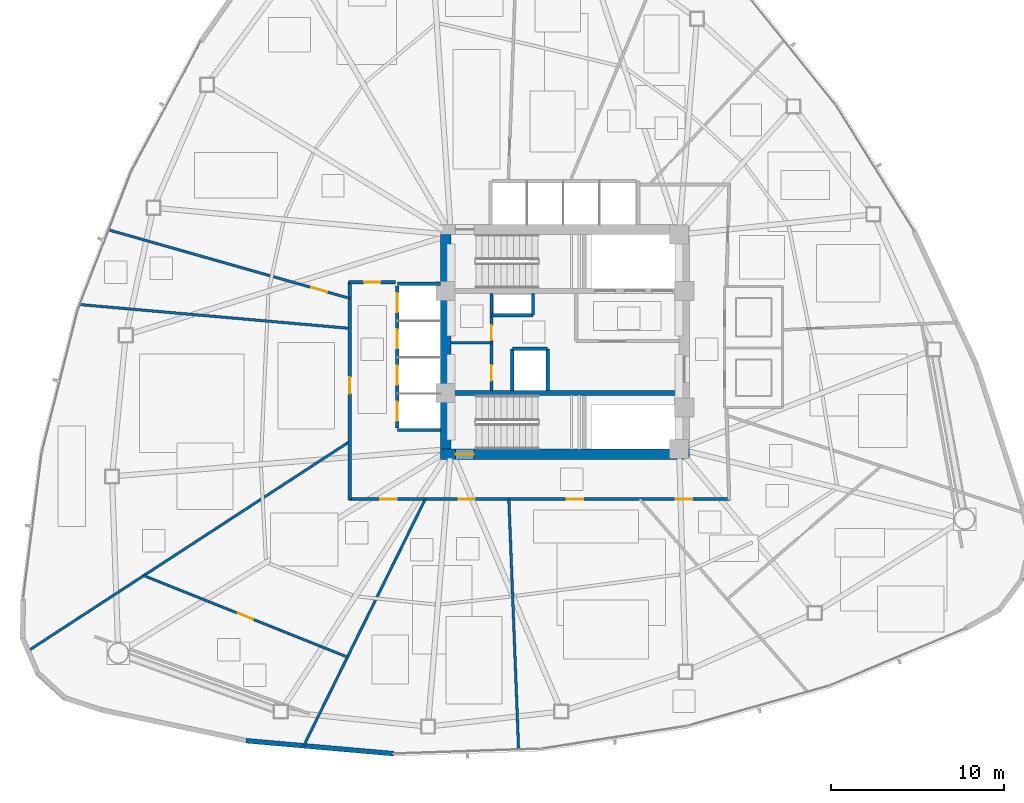
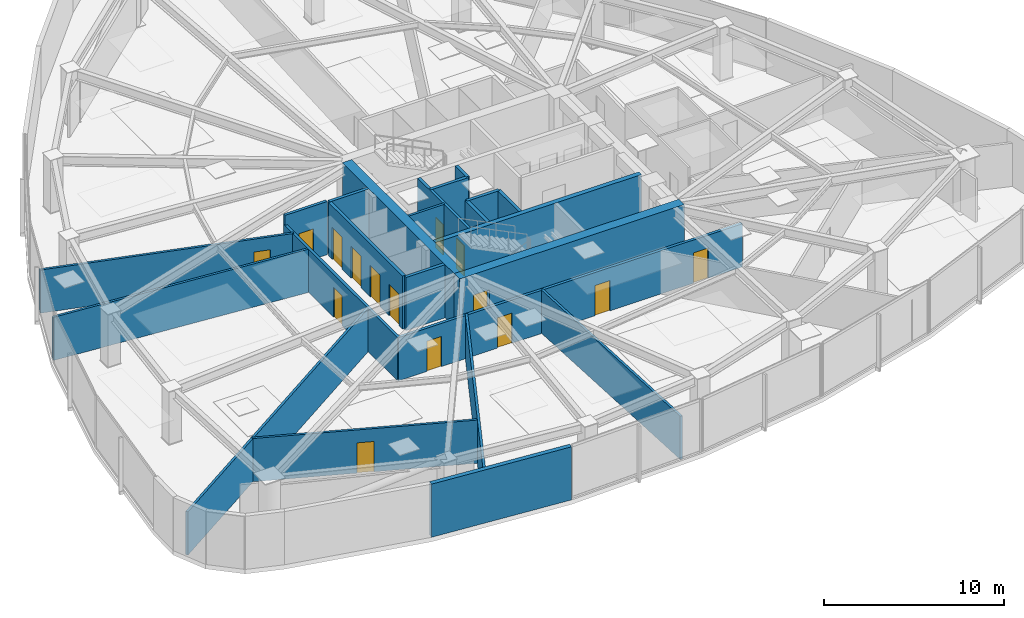
# One storey, part 12 of 18: 23 walls, 15 doors, 15 openings.
"""IFC4 building model written with IfcOpenShell, lengths in metres."""

from ifc_helpers import new_model, si_unit, direction, frame, frame_2d, origin, place, context, subcontext, project, spatial, rectangle, extrude, material, layer, layer_set, type_object, element, fill, save


model = new_model("IFC4")

# Units and contexts
model_context = context("Model", 3, precision=1e-05, world=origin(), true_north=direction((0.0, 1.0)))
body_context = subcontext(model_context, "Body", "Model", "MODEL_VIEW")
ifc_project = project(units=[si_unit("LENGTHUNIT", "METRE"), si_unit("AREAUNIT", "SQUARE_METRE"), si_unit("VOLUMEUNIT", "CUBIC_METRE"), si_unit("PLANEANGLEUNIT", "RADIAN"), si_unit("MASSUNIT", "GRAM", prefix="KILO")], contexts=[model_context])

# Site, building, storey
site_placement = place(None, origin())
site = spatial("IfcSite", under=ifc_project, at=site_placement, CompositionType="ELEMENT")
building_placement = place(site_placement, origin())
building = spatial("IfcBuilding", under=site, at=building_placement, Name="Tavelor Broadcast Tower", CompositionType="ELEMENT")
storey_placement = place(building_placement, frame((0.0, 0.0, 47.10009765625)))
storey = spatial("IfcBuildingStorey", under=building, at=storey_placement, Name="L10", CompositionType="ELEMENT", Elevation=47.10009765625)

# Wall, opening, door
ifc_material_1 = material(Name="Concrete C60/75", Category="concrete")
ifc_layer_1 = layer(ifc_material_1, 0.60009765625)
ifc_layer_set_1 = layer_set([ifc_layer_1], Name="Concrete C60/75")
wall_type_1 = type_object("IfcWallType", Name="Core Shear Wall 600 mm", PredefinedType="SHEAR", material=ifc_layer_set_1)
wall_1_placement = place(storey_placement, frame((42.800048828125, 38.5, 0.0), z_axis=(0.0, 0.0, 1.0), x_axis=(1.0, 0.0, 0.0)))
wall_1 = element("IfcWall", 1, at=wall_1_placement, inside=storey, type_object=wall_type_1, Name="L10 Central Core Shear Wall S", PredefinedType="SHEAR", context=body_context, shape_type="SweptSolid", body=[
    extrude(rectangle(XDim=14.39990234375, YDim=0.60009765625, at=frame_2d((7.199951171875, 0.0))), origin(), (0.0, 0.0, 1.0), 3.599853515625),
])
opening_1_placement = place(wall_1_placement, frame((0.8798828125, 0.0, 0.0)))
opening_1 = element("IfcOpeningElement", 2, at=opening_1_placement, cuts=wall_1, Name="Opening DR11", PredefinedType="OPENING", context=body_context, shape_type="SweptSolid", body=[
    extrude(rectangle(XDim=1.050048828125, YDim=2.199951171875, at=frame_2d((0.52490234375, 1.10009765625))), frame((0.0, 0.31005859375, 0.0), z_axis=(0.0, -1.0, 0.0), x_axis=(1.0, 0.0, 0.0)), (0.0, 0.0, 1.0), 0.6201171875),
])
ifc_material_2 = material(Name="Steel S355", Category="steel")
door_type_1 = type_object("IfcDoorType", Name="Stair Core Fire Escape Door 1050x2200", OperationType="NOTDEFINED", PredefinedType="DOOR", material=ifc_material_2)
door_1_placement = place(opening_1_placement, origin())
door_1 = element("IfcDoor", 3, at=door_1_placement, inside=storey, type_object=door_type_1, Name="L10 Stair ST2 Protected Exit Door", OperationType="SINGLE_SWING_RIGHT", OverallHeight=2.199951171875, OverallWidth=1.050048828125, PredefinedType="DOOR", context=body_context, shape_type="SweptSolid", body=[
    extrude(rectangle(XDim=1.050048828125, YDim=2.199951171875, at=frame_2d((0.52490234375, 1.10009765625))), frame((0.0, 0.02490234375, 0.0), z_axis=(0.0, -1.0, 0.0), x_axis=(1.0, 0.0, 0.0)), (0.0, 0.0, 1.0), 0.050048828125),
])
fill(opening_1, door_1)

# Walls
wall_2_placement = place(storey_placement, frame((43.10009765625, 38.800048828125, 0.0), z_axis=(0.0, 0.0, 1.0), x_axis=(0.0, 1.0, 0.0)))
element("IfcWall", 4, at=wall_2_placement, inside=storey, type_object=wall_type_1, Name="L10 Central Core Shear Wall W", PredefinedType="SHEAR", context=body_context, shape_type="SweptSolid", body=[
    extrude(rectangle(XDim=12.39990234375, YDim=0.60009765625, at=frame_2d((6.199951171875, 0.0))), origin(), (0.0, 0.0, 1.0), 3.599853515625),
])
ifc_layer_2 = layer(ifc_material_1, 0.300048828125)
ifc_layer_set_2 = layer_set([ifc_layer_2], Name="Concrete C60/75")
wall_type_2 = type_object("IfcWallType", Name="Core Spine Shear Wall 300 mm C60", PredefinedType="SHEAR", material=ifc_layer_set_2)
wall_3_placement = place(storey_placement, frame((43.39990234375, 42.050048828125, 0.0), z_axis=(0.0, 0.0, 1.0), x_axis=(1.0, 0.0, 0.0)))
element("IfcWall", 5, at=wall_3_placement, inside=storey, type_object=wall_type_2, Name="L10 Central Core Shear Wall SP2", PredefinedType="SHEAR", context=body_context, shape_type="SweptSolid", body=[
    extrude(rectangle(XDim=13.2001953125, YDim=0.300048828125, at=frame_2d((6.60009765625, 0.0))), origin(), (0.0, 0.0, 1.0), 3.599853515625),
])

# Wall, openings, doors
ifc_material_3 = material(Name="Calcium Silicate Fire Board 180 mm", Category="gypsum")
ifc_layer_3 = layer(ifc_material_3, 0.179931640625)
ifc_layer_set_3 = layer_set([ifc_layer_3], Name="Calcium Silicate Fire Board 180 mm")
wall_type_3 = type_object("IfcWallType", Name="Fire-Rated Corridor Partition Wall 180 mm", PredefinedType="PARTITIONING", material=ifc_layer_set_3)
wall_4_placement = place(storey_placement, frame((45.75, 42.199951171875, 0.0), z_axis=(0.0, 0.0, 1.0), x_axis=(0.0, 1.0, 0.0)))
wall_4 = element("IfcWall", 6, at=wall_4_placement, inside=storey, type_object=wall_type_3, Name="L10 Core West Service East Wall", PredefinedType="PARTITIONING", context=body_context, shape_type="SweptSolid", body=[
    extrude(rectangle(XDim=5.60009765625, YDim=0.179931640625, at=frame_2d((2.800048828125, 0.0))), origin(), (0.0, 0.0, 1.0), 3.599853515625),
])
opening_2_placement = place(wall_4_placement, frame((0.550048828125, 0.0, 0.0)))
opening_2 = element("IfcOpeningElement", 7, at=opening_2_placement, cuts=wall_4, Name="Opening DR32", PredefinedType="OPENING", context=body_context, shape_type="SweptSolid", body=[
    extrude(rectangle(XDim=0.89990234375, YDim=2.050048828125, at=frame_2d((0.449951171875, 1.02490234375))), frame((0.0, 0.10009765625, 0.0), z_axis=(0.0, -1.0, 0.0), x_axis=(1.0, 0.0, 0.0)), (0.0, 0.0, 1.0), 0.199951171875),
])
opening_3_placement = place(wall_4_placement, frame((2.89990234375, 0.0, 0.0)))
opening_3 = element("IfcOpeningElement", 8, at=opening_3_placement, cuts=wall_4, Name="Opening DR36", PredefinedType="OPENING", context=body_context, shape_type="SweptSolid", body=[
    extrude(rectangle(XDim=0.85009765625, YDim=2.050048828125, at=frame_2d((0.425048828125, 1.02490234375))), frame((0.0, 0.10009765625, 0.0), z_axis=(0.0, -1.0, 0.0), x_axis=(1.0, 0.0, 0.0)), (0.0, 0.0, 1.0), 0.199951171875),
])
ifc_material_4 = material(Name="Timber Solid Core Hardwood", Category="wood")
door_type_2 = type_object("IfcDoorType", Name="Accessible Washroom Door 900x2050", OperationType="NOTDEFINED", PredefinedType="DOOR", material=ifc_material_4)
door_2_placement = place(opening_2_placement, origin())
door_2 = element("IfcDoor", 9, at=door_2_placement, inside=storey, type_object=door_type_2, Name="L10 Core Accessible WC Door", OperationType="SINGLE_SWING_LEFT", OverallHeight=2.050048828125, OverallWidth=0.89990234375, PredefinedType="DOOR", context=body_context, shape_type="SweptSolid", body=[
    extrude(rectangle(XDim=0.89990234375, YDim=2.050048828125, at=frame_2d((0.449951171875, 1.02490234375))), frame((0.0, 0.02490234375, 0.0), z_axis=(0.0, -1.0, 0.0), x_axis=(1.0, 0.0, 0.0)), (0.0, 0.0, 1.0), 0.050048828125),
])
fill(opening_2, door_2)
door_type_3 = type_object("IfcDoorType", Name="Service Room Fire Door 850x2050", OperationType="NOTDEFINED", PredefinedType="DOOR", material=ifc_material_2)
door_3_placement = place(opening_3_placement, origin())
door_3 = element("IfcDoor", 10, at=door_3_placement, inside=storey, type_object=door_type_3, Name="L10 Core Cleaner Store Door", OperationType="SINGLE_SWING_RIGHT", OverallHeight=2.050048828125, OverallWidth=0.85009765625, PredefinedType="DOOR", context=body_context, shape_type="SweptSolid", body=[
    extrude(rectangle(XDim=0.85009765625, YDim=2.050048828125, at=frame_2d((0.425048828125, 1.02490234375))), frame((0.0, 0.02490234375, 0.0), z_axis=(0.0, -1.0, 0.0), x_axis=(1.0, 0.0, 0.0)), (0.0, 0.0, 1.0), 0.050048828125),
])
fill(opening_3, door_3)

wall_5_placement = place(storey_placement, frame((59.550048828125, 35.89990234375, 0.0), z_axis=(0.0, 0.0, 1.0), x_axis=(-1.0, 0.0, 0.0)))
wall_5 = element("IfcWall", 11, at=wall_5_placement, inside=storey, type_object=wall_type_3, Name="L10 Corridor Compartment Wall 04", PredefinedType="PARTITIONING", context=body_context, shape_type="SweptSolid", body=[
    extrude(rectangle(XDim=22.050048828125, YDim=0.179931640625, at=frame_2d((11.02490234375, 0.0))), origin(), (0.0, 0.0, 1.0), 2.9248046875),
])
opening_4_placement = place(wall_5_placement, frame((2.193115234375, 0.0, 0.0)))
opening_4 = element("IfcOpeningElement", 12, at=opening_4_placement, cuts=wall_5, Name="Opening DR18", PredefinedType="OPENING", context=body_context, shape_type="SweptSolid", body=[
    extrude(rectangle(XDim=0.949951171875, YDim=2.050048828125, at=frame_2d((0.47509765625, 1.02490234375))), frame((0.0, 0.10009765625, 0.0), z_axis=(0.0, -1.0, 0.0), x_axis=(1.0, 0.0, 0.0)), (0.0, 0.0, 1.0), 0.199951171875),
])
opening_5_placement = place(wall_5_placement, frame((8.489501953125, 0.0, 0.0)))
opening_5 = element("IfcOpeningElement", 13, at=opening_5_placement, cuts=wall_5, Name="Opening DR18", PredefinedType="OPENING", context=body_context, shape_type="SweptSolid", body=[
    extrude(rectangle(XDim=0.949951171875, YDim=2.050048828125, at=frame_2d((0.47509765625, 1.02490234375))), frame((0.0, 0.10009765625, 0.0), z_axis=(0.0, -1.0, 0.0), x_axis=(1.0, 0.0, 0.0)), (0.0, 0.0, 1.0), 0.199951171875),
])
opening_6_placement = place(wall_5_placement, frame((14.759765625, 0.0, 0.0)))
opening_6 = element("IfcOpeningElement", 14, at=opening_6_placement, cuts=wall_5, Name="Opening DR18", PredefinedType="OPENING", context=body_context, shape_type="SweptSolid", body=[
    extrude(rectangle(XDim=0.949951171875, YDim=2.050048828125, at=frame_2d((0.47509765625, 1.02490234375))), frame((0.0, 0.10009765625, 0.0), z_axis=(0.0, -1.0, 0.0), x_axis=(1.0, 0.0, 0.0)), (0.0, 0.0, 1.0), 0.199951171875),
])
opening_7_placement = place(wall_5_placement, frame((19.280517578125, 0.0, 0.0)))
opening_7 = element("IfcOpeningElement", 15, at=opening_7_placement, cuts=wall_5, Name="Opening DR18", PredefinedType="OPENING", context=body_context, shape_type="SweptSolid", body=[
    extrude(rectangle(XDim=0.949951171875, YDim=2.050048828125, at=frame_2d((0.47509765625, 1.02490234375))), frame((0.0, 0.10009765625, 0.0), z_axis=(0.0, -1.0, 0.0), x_axis=(1.0, 0.0, 0.0)), (0.0, 0.0, 1.0), 0.199951171875),
])
door_type_4 = type_object("IfcDoorType", Name="Corridor Rated Compartment Door 950x2050", OperationType="NOTDEFINED", PredefinedType="DOOR", material=ifc_material_4)
door_4_placement = place(opening_4_placement, origin())
door_4 = element("IfcDoor", 16, at=door_4_placement, inside=storey, type_object=door_type_4, Name="L10 Press Concierge Desk Door R11", OperationType="SINGLE_SWING_RIGHT", OverallHeight=2.050048828125, OverallWidth=0.949951171875, PredefinedType="DOOR", context=body_context, shape_type="SweptSolid", body=[
    extrude(rectangle(XDim=0.949951171875, YDim=2.050048828125, at=frame_2d((0.47509765625, 1.02490234375))), frame((0.0, 0.02490234375, 0.0), z_axis=(0.0, -1.0, 0.0), x_axis=(1.0, 0.0, 0.0)), (0.0, 0.0, 1.0), 0.050048828125),
])
fill(opening_4, door_4)
door_5_placement = place(opening_5_placement, origin())
door_5 = element("IfcDoor", 17, at=door_5_placement, inside=storey, type_object=door_type_4, Name="L10 Press Interview Room Door R0", OperationType="SINGLE_SWING_LEFT", OverallHeight=2.050048828125, OverallWidth=0.949951171875, PredefinedType="DOOR", context=body_context, shape_type="SweptSolid", body=[
    extrude(rectangle(XDim=0.949951171875, YDim=2.050048828125, at=frame_2d((0.47509765625, 1.02490234375))), frame((0.0, 0.02490234375, 0.0), z_axis=(0.0, -1.0, 0.0), x_axis=(1.0, 0.0, 0.0)), (0.0, 0.0, 1.0), 0.050048828125),
])
fill(opening_5, door_5)
door_6_placement = place(opening_6_placement, origin())
door_6 = element("IfcDoor", 18, at=door_6_placement, inside=storey, type_object=door_type_4, Name="L10 Standards Huddle Room Door R1", OperationType="SINGLE_SWING_RIGHT", OverallHeight=2.050048828125, OverallWidth=0.949951171875, PredefinedType="DOOR", context=body_context, shape_type="SweptSolid", body=[
    extrude(rectangle(XDim=0.949951171875, YDim=2.050048828125, at=frame_2d((0.47509765625, 1.02490234375))), frame((0.0, 0.02490234375, 0.0), z_axis=(0.0, -1.0, 0.0), x_axis=(1.0, 0.0, 0.0)), (0.0, 0.0, 1.0), 0.050048828125),
])
fill(opening_6, door_6)
door_7_placement = place(opening_7_placement, origin())
door_7 = element("IfcDoor", 19, at=door_7_placement, inside=storey, type_object=door_type_4, Name="L10 Quiet Listening Room Door R12", OperationType="SINGLE_SWING_LEFT", OverallHeight=2.050048828125, OverallWidth=0.949951171875, PredefinedType="DOOR", context=body_context, shape_type="SweptSolid", body=[
    extrude(rectangle(XDim=0.949951171875, YDim=2.050048828125, at=frame_2d((0.47509765625, 1.02490234375))), frame((0.0, 0.02490234375, 0.0), z_axis=(0.0, -1.0, 0.0), x_axis=(1.0, 0.0, 0.0)), (0.0, 0.0, 1.0), 0.050048828125),
])
fill(opening_7, door_7)

# Wall, opening, door
wall_6_placement = place(storey_placement, frame((37.550048828125, 35.85009765625, 0.0), z_axis=(0.0, 0.0, 1.0), x_axis=(0.0, 1.0, 0.0)))
wall_6 = element("IfcWall", 20, at=wall_6_placement, inside=storey, type_object=wall_type_3, Name="L10 Corridor Compartment Wall 05", PredefinedType="PARTITIONING", context=body_context, shape_type="SweptSolid", body=[
    extrude(rectangle(XDim=12.64990234375, YDim=0.179931640625, at=frame_2d((6.324951171875, 0.0))), origin(), (0.0, 0.0, 1.0), 2.9248046875),
])
opening_8_placement = place(wall_6_placement, frame((6.1591796875, 0.0, 0.0)))
opening_8 = element("IfcOpeningElement", 21, at=opening_8_placement, cuts=wall_6, Name="Opening DR18", PredefinedType="OPENING", context=body_context, shape_type="SweptSolid", body=[
    extrude(rectangle(XDim=0.949951171875, YDim=2.050048828125, at=frame_2d((0.47509765625, 1.02490234375))), frame((0.0, 0.10009765625, 0.0), z_axis=(0.0, -1.0, 0.0), x_axis=(1.0, 0.0, 0.0)), (0.0, 0.0, 1.0), 0.199951171875),
])
door_8_placement = place(opening_8_placement, origin())
door_8 = element("IfcDoor", 22, at=door_8_placement, inside=storey, type_object=door_type_4, Name="L10 Newsroom Huddle Room Door R3", OperationType="SINGLE_SWING_RIGHT", OverallHeight=2.050048828125, OverallWidth=0.949951171875, PredefinedType="DOOR", context=body_context, shape_type="SweptSolid", body=[
    extrude(rectangle(XDim=0.949951171875, YDim=2.050048828125, at=frame_2d((0.47509765625, 1.02490234375))), frame((0.0, 0.02490234375, 0.0), z_axis=(0.0, -1.0, 0.0), x_axis=(1.0, 0.0, 0.0)), (0.0, 0.0, 1.0), 0.050048828125),
])
fill(opening_8, door_8)

wall_7_placement = place(storey_placement, frame((37.5, 48.449951171875, 0.0), z_axis=(0.0, 0.0, 1.0), x_axis=(1.0, 0.0, 0.0)))
wall_7 = element("IfcWall", 23, at=wall_7_placement, inside=storey, type_object=wall_type_3, Name="L10 Corridor Compartment Wall 06", PredefinedType="PARTITIONING", context=body_context, shape_type="SweptSolid", body=[
    extrude(rectangle(XDim=2.699951171875, YDim=0.179931640625, at=frame_2d((1.35009765625, 0.0))), origin(), (0.0, 0.0, 1.0), 3.599853515625),
])
opening_9_placement = place(wall_7_placement, frame((0.875, 0.0, 0.0)))
opening_9 = element("IfcOpeningElement", 24, at=opening_9_placement, cuts=wall_7, Name="Opening DR18", PredefinedType="OPENING", context=body_context, shape_type="SweptSolid", body=[
    extrude(rectangle(XDim=0.949951171875, YDim=2.050048828125, at=frame_2d((0.47509765625, 1.02490234375))), frame((0.0, 0.10009765625, 0.0), z_axis=(0.0, -1.0, 0.0), x_axis=(1.0, 0.0, 0.0)), (0.0, 0.0, 1.0), 0.199951171875),
])
door_9_placement = place(opening_9_placement, origin())
door_9 = element("IfcDoor", 25, at=door_9_placement, inside=storey, type_object=door_type_4, Name="L10 Editorial Huddle Room Door R5", OperationType="SINGLE_SWING_LEFT", OverallHeight=2.050048828125, OverallWidth=0.949951171875, PredefinedType="DOOR", context=body_context, shape_type="SweptSolid", body=[
    extrude(rectangle(XDim=0.949951171875, YDim=2.050048828125, at=frame_2d((0.47509765625, 1.02490234375))), frame((0.0, 0.02490234375, 0.0), z_axis=(0.0, -1.0, 0.0), x_axis=(1.0, 0.0, 0.0)), (0.0, 0.0, 1.0), 0.050048828125),
])
fill(opening_9, door_9)

# Walls
ifc_material_5 = material(Name="Precast Concrete C40/50", Category="concrete")
ifc_layer_4 = layer(ifc_material_5, 0.280029296875)
ifc_layer_set_4 = layer_set([ifc_layer_4], Name="Precast Concrete C40/50")
wall_type_4 = type_object("IfcWallType", Name="Insulated Precast Terracotta Facade Wall 280 mm", PredefinedType="STANDARD", material=ifc_layer_set_4)
wall_8_placement = place(storey_placement, frame((31.547119140625, 21.926025390625, 0.0), z_axis=(0.0, 0.0, 1.0), x_axis=(0.996155119638, -0.087606949604, 0.0)))
element("IfcWall", 26, at=wall_8_placement, inside=storey, type_object=wall_type_4, Name="L10 Rounded Corner Structural Cladding Pier 16", PredefinedType="STANDARD", context=body_context, shape_type="SweptSolid", body=[
    extrude(rectangle(XDim=8.5693359375, YDim=0.280029296875, at=frame_2d((4.28466796875, 0.0))), origin(), (0.0, 0.0, 1.0), 3.599853515625),
])
ifc_material_6 = material(Name="Gypsum Acoustic Plasterboard 150 mm", Category="gypsum")
ifc_layer_5 = layer(ifc_material_6, 0.14990234375)
ifc_layer_set_5 = layer_set([ifc_layer_5], Name="Gypsum Acoustic Plasterboard 150 mm")
wall_type_5 = type_object("IfcWallType", Name="Interior Acoustic Partition Wall 150 mm", PredefinedType="PARTITIONING", material=ifc_layer_set_5)
wall_9_placement = place(storey_placement, frame((43.39990234375, 44.949951171875, 0.0), z_axis=(0.0, 0.0, 1.0), x_axis=(1.0, 0.0, 0.0)))
element("IfcWall", 27, at=wall_9_placement, inside=storey, type_object=wall_type_5, Name="L10 Core Split Wall A", PredefinedType="PARTITIONING", context=body_context, shape_type="SweptSolid", body=[
    extrude(rectangle(XDim=2.35009765625, YDim=0.14990234375, at=frame_2d((1.175048828125, 0.0))), origin(), (0.0, 0.0, 1.0), 3.599853515625),
])

# Wall, opening, door
wall_10_placement = place(storey_placement, frame((37.550048828125, 47.514404296875, 0.0), z_axis=(0.0, 0.0, 1.0), x_axis=(-0.961929928403, 0.273296199832, 0.0)))
wall_10 = element("IfcWall", 28, at=wall_10_placement, inside=storey, type_object=wall_type_5, Name="L10 Radial Compartment Wall 04", PredefinedType="PARTITIONING", context=body_context, shape_type="SweptSolid", body=[
    extrude(rectangle(XDim=14.50830078125, YDim=0.14990234375, at=frame_2d((7.254150390625, 0.0))), origin(), (0.0, 0.0, 1.0), 2.9248046875),
])
opening_10_placement = place(wall_10_placement, frame((1.35009765625, 0.0, 0.0)))
opening_10 = element("IfcOpeningElement", 29, at=opening_10_placement, cuts=wall_10, Name="Opening DR18", PredefinedType="OPENING", context=body_context, shape_type="SweptSolid", body=[
    extrude(rectangle(XDim=0.949951171875, YDim=2.050048828125, at=frame_2d((0.47509765625, 1.02490234375))), frame((0.0, 0.0849609375, 0.0), z_axis=(0.0, -1.0, 0.0), x_axis=(1.0, 0.0, 0.0)), (0.0, 0.0, 1.0), 0.169921875),
])
door_10_placement = place(opening_10_placement, origin())
door_10 = element("IfcDoor", 30, at=door_10_placement, inside=storey, type_object=door_type_4, Name="L10 Suite Connecting Door 4", OperationType="SINGLE_SWING_LEFT", OverallHeight=2.050048828125, OverallWidth=0.949951171875, PredefinedType="DOOR", context=body_context, shape_type="SweptSolid", body=[
    extrude(rectangle(XDim=0.949951171875, YDim=2.050048828125, at=frame_2d((0.47509765625, 1.02490234375))), frame((0.0, 0.02490234375, 0.0), z_axis=(0.0, -1.0, 0.0), x_axis=(1.0, 0.0, 0.0)), (0.0, 0.0, 1.0), 0.050048828125),
])
fill(opening_10, door_10)

# Walls
wall_11_placement = place(storey_placement, frame((37.550048828125, 45.7802734375, 0.0), z_axis=(0.0, 0.0, 1.0), x_axis=(-0.996135739355, 0.087827039001, 0.0)))
element("IfcWall", 31, at=wall_11_placement, inside=storey, type_object=wall_type_5, Name="L10 Radial Compartment Wall 05", PredefinedType="PARTITIONING", context=body_context, shape_type="SweptSolid", body=[
    extrude(rectangle(XDim=15.686279296875, YDim=0.14990234375, at=frame_2d((7.84326171875, 0.0))), origin(), (0.0, 0.0, 1.0), 2.9248046875),
])
wall_12_placement = place(storey_placement, frame((37.550048828125, 39.238037109375, 0.0), z_axis=(0.0, 0.0, 1.0), x_axis=(-0.838026127927, -0.545630102645, 0.0)))
element("IfcWall", 32, at=wall_12_placement, inside=storey, type_object=wall_type_5, Name="L10 Radial Compartment Wall 06", PredefinedType="PARTITIONING", context=body_context, shape_type="SweptSolid", body=[
    extrude(rectangle(XDim=22.218505859375, YDim=0.14990234375, at=frame_2d((11.109375, 0.0))), origin(), (0.0, 0.0, 1.0), 2.9248046875),
])
wall_13_placement = place(storey_placement, frame((41.916015625, 35.89990234375, 0.0), z_axis=(0.0, 0.0, 1.0), x_axis=(-0.442009186834, -0.897010523212, 0.0)))
element("IfcWall", 33, at=wall_13_placement, inside=storey, type_object=wall_type_5, Name="L10 Radial Compartment Wall 07", PredefinedType="PARTITIONING", context=body_context, shape_type="SweptSolid", body=[
    extrude(rectangle(XDim=15.916259765625, YDim=0.14990234375, at=frame_2d((7.9580078125, 0.0))), origin(), (0.0, 0.0, 1.0), 2.974853515625),
])
wall_14_placement = place(storey_placement, frame((46.75341796875, 35.89990234375, 0.0), z_axis=(0.0, 0.0, 1.0), x_axis=(0.038821693723, -0.999246153906, 0.0)))
element("IfcWall", 34, at=wall_14_placement, inside=storey, type_object=wall_type_5, Name="L10 Radial Compartment Wall 08", PredefinedType="PARTITIONING", context=body_context, shape_type="SweptSolid", body=[
    extrude(rectangle(XDim=14.501953125, YDim=0.14990234375, at=frame_2d((7.2509765625, 0.0))), origin(), (0.0, 0.0, 1.0), 2.9248046875),
])

# Wall, opening, door
wall_15_placement = place(storey_placement, frame((25.63330078125, 31.479248046875, 0.0), z_axis=(0.0, 0.0, 1.0), x_axis=(0.928355895865, -0.371692521599, 0.0)))
wall_15 = element("IfcWall", 35, at=wall_15_placement, inside=storey, type_object=wall_type_5, Name="L10 Suite Chord Partition Wall 01", PredefinedType="PARTITIONING", context=body_context, shape_type="SweptSolid", body=[
    extrude(rectangle(XDim=12.689453125, YDim=0.14990234375, at=frame_2d((6.3447265625, 0.0))), origin(), (0.0, 0.0, 1.0), 2.9248046875),
])
opening_11_placement = place(wall_15_placement, frame((5.86962890625, 0.0, 0.0)))
opening_11 = element("IfcOpeningElement", 36, at=opening_11_placement, cuts=wall_15, Name="Opening DR23", PredefinedType="OPENING", context=body_context, shape_type="SweptSolid", body=[
    extrude(rectangle(XDim=0.949951171875, YDim=2.050048828125, at=frame_2d((0.47509765625, 1.02490234375))), frame((0.0, 0.0849609375, 0.0), z_axis=(0.0, -1.0, 0.0), x_axis=(1.0, 0.0, 0.0)), (0.0, 0.0, 1.0), 0.169921875),
])
door_type_5 = type_object("IfcDoorType", Name="Editorial Room Acoustic Door 950x2050", OperationType="NOTDEFINED", PredefinedType="DOOR", material=ifc_material_4)
door_11_placement = place(opening_11_placement, origin())
door_11 = element("IfcDoor", 37, at=door_11_placement, inside=storey, type_object=door_type_5, Name="L10 Outer Suite Partition Door 1", OperationType="SINGLE_SWING_LEFT", OverallHeight=2.050048828125, OverallWidth=0.949951171875, PredefinedType="DOOR", context=body_context, shape_type="SweptSolid", body=[
    extrude(rectangle(XDim=0.949951171875, YDim=2.050048828125, at=frame_2d((0.47509765625, 1.02490234375))), frame((0.0, 0.02490234375, 0.0), z_axis=(0.0, -1.0, 0.0), x_axis=(1.0, 0.0, 0.0)), (0.0, 0.0, 1.0), 0.050048828125),
])
fill(opening_11, door_11)

# Wall, openings, doors
ifc_material_7 = material(Name="Concrete Blockwork 200 mm", Category="masonry")
ifc_layer_6 = layer(ifc_material_7, 0.199951171875)
ifc_layer_set_6 = layer_set([ifc_layer_6], Name="Concrete Blockwork 200 mm")
wall_type_6 = type_object("IfcWallType", Name="Lift Hoistway Rated Front Wall 200 mm", PredefinedType="PARTITIONING", material=ifc_layer_set_6)
wall_16_placement = place(storey_placement, frame((40.300048828125, 40.02001953125, 0.0), z_axis=(0.0, 0.0, 1.0), x_axis=(0.0, 1.0, 0.0)))
wall_16 = element("IfcWall", 38, at=wall_16_placement, inside=storey, type_object=wall_type_6, Name="L10 Low-Rise Lift Hoistway Front Wall", PredefinedType="PARTITIONING", context=body_context, shape_type="SweptSolid", body=[
    extrude(rectangle(XDim=8.2099609375, YDim=0.199951171875, at=frame_2d((4.10498046875, 0.0))), origin(), (0.0, 0.0, 1.0), 3.599853515625),
])
opening_12_placement = place(wall_16_placement, frame((0.405029296875, 0.0, 0.0)))
opening_12 = element("IfcOpeningElement", 39, at=opening_12_placement, cuts=wall_16, Name="Opening LD01", PredefinedType="OPENING", context=body_context, shape_type="SweptSolid", body=[
    extrude(rectangle(XDim=1.10009765625, YDim=2.14990234375, at=frame_2d((0.550048828125, 1.074951171875))), frame((0.0, 0.10986328125, 0.0), z_axis=(0.0, -1.0, 0.0), x_axis=(1.0, 0.0, 0.0)), (0.0, 0.0, 1.0), 0.219970703125),
])
opening_13_placement = place(wall_16_placement, frame((2.5048828125, 0.0, 0.0)))
opening_13 = element("IfcOpeningElement", 40, at=opening_13_placement, cuts=wall_16, Name="Opening LD01", PredefinedType="OPENING", context=body_context, shape_type="SweptSolid", body=[
    extrude(rectangle(XDim=1.10009765625, YDim=2.14990234375, at=frame_2d((0.550048828125, 1.074951171875))), frame((0.0, 0.10986328125, 0.0), z_axis=(0.0, -1.0, 0.0), x_axis=(1.0, 0.0, 0.0)), (0.0, 0.0, 1.0), 0.219970703125),
])
opening_14_placement = place(wall_16_placement, frame((4.60498046875, 0.0, 0.0)))
opening_14 = element("IfcOpeningElement", 41, at=opening_14_placement, cuts=wall_16, Name="Opening LD01", PredefinedType="OPENING", context=body_context, shape_type="SweptSolid", body=[
    extrude(rectangle(XDim=1.10009765625, YDim=2.14990234375, at=frame_2d((0.550048828125, 1.074951171875))), frame((0.0, 0.10986328125, 0.0), z_axis=(0.0, -1.0, 0.0), x_axis=(1.0, 0.0, 0.0)), (0.0, 0.0, 1.0), 0.219970703125),
])
opening_15_placement = place(wall_16_placement, frame((6.705078125, 0.0, 0.0)))
opening_15 = element("IfcOpeningElement", 42, at=opening_15_placement, cuts=wall_16, Name="Opening LD01", PredefinedType="OPENING", context=body_context, shape_type="SweptSolid", body=[
    extrude(rectangle(XDim=1.10009765625, YDim=2.14990234375, at=frame_2d((0.550048828125, 1.074951171875))), frame((0.0, 0.10986328125, 0.0), z_axis=(0.0, -1.0, 0.0), x_axis=(1.0, 0.0, 0.0)), (0.0, 0.0, 1.0), 0.219970703125),
])
ifc_material_8 = material(Name="Brushed Stainless Steel", Category="steel")
door_type_6 = type_object("IfcDoorType", Name="Passenger Lift Sliding Landing Door 1100x2150", OperationType="NOTDEFINED", PredefinedType="DOOR", material=ifc_material_8)
door_12_placement = place(opening_12_placement, origin())
door_12 = element("IfcDoor", 43, at=door_12_placement, inside=storey, type_object=door_type_6, Name="L10 Lift PLL1 Sliding Landing Door", OperationType="SLIDING_TO_LEFT", OverallHeight=2.14990234375, OverallWidth=1.10009765625, PredefinedType="DOOR", context=body_context, shape_type="SweptSolid", body=[
    extrude(rectangle(XDim=1.10009765625, YDim=2.14990234375, at=frame_2d((0.550048828125, 1.074951171875))), frame((0.0, 0.02490234375, 0.0), z_axis=(0.0, -1.0, 0.0), x_axis=(1.0, 0.0, 0.0)), (0.0, 0.0, 1.0), 0.050048828125),
])
fill(opening_12, door_12)
door_13_placement = place(opening_13_placement, origin())
door_13 = element("IfcDoor", 44, at=door_13_placement, inside=storey, type_object=door_type_6, Name="L10 Lift PLL2 Sliding Landing Door", OperationType="SLIDING_TO_RIGHT", OverallHeight=2.14990234375, OverallWidth=1.10009765625, PredefinedType="DOOR", context=body_context, shape_type="SweptSolid", body=[
    extrude(rectangle(XDim=1.10009765625, YDim=2.14990234375, at=frame_2d((0.550048828125, 1.074951171875))), frame((0.0, 0.02490234375, 0.0), z_axis=(0.0, -1.0, 0.0), x_axis=(1.0, 0.0, 0.0)), (0.0, 0.0, 1.0), 0.050048828125),
])
fill(opening_13, door_13)
door_14_placement = place(opening_14_placement, origin())
door_14 = element("IfcDoor", 45, at=door_14_placement, inside=storey, type_object=door_type_6, Name="L10 Lift PLL3 Sliding Landing Door", OperationType="SLIDING_TO_LEFT", OverallHeight=2.14990234375, OverallWidth=1.10009765625, PredefinedType="DOOR", context=body_context, shape_type="SweptSolid", body=[
    extrude(rectangle(XDim=1.10009765625, YDim=2.14990234375, at=frame_2d((0.550048828125, 1.074951171875))), frame((0.0, 0.02490234375, 0.0), z_axis=(0.0, -1.0, 0.0), x_axis=(1.0, 0.0, 0.0)), (0.0, 0.0, 1.0), 0.050048828125),
])
fill(opening_14, door_14)
door_15_placement = place(opening_15_placement, origin())
door_15 = element("IfcDoor", 46, at=door_15_placement, inside=storey, type_object=door_type_6, Name="L10 Lift PLL4 Sliding Landing Door", OperationType="SLIDING_TO_RIGHT", OverallHeight=2.14990234375, OverallWidth=1.10009765625, PredefinedType="DOOR", context=body_context, shape_type="SweptSolid", body=[
    extrude(rectangle(XDim=1.10009765625, YDim=2.14990234375, at=frame_2d((0.550048828125, 1.074951171875))), frame((0.0, 0.02490234375, 0.0), z_axis=(0.0, -1.0, 0.0), x_axis=(1.0, 0.0, 0.0)), (0.0, 0.0, 1.0), 0.050048828125),
])
fill(opening_15, door_15)

# Walls
wall_17_placement = place(storey_placement, frame((49.0, 42.199951171875, 0.0), z_axis=(0.0, 0.0, 1.0), x_axis=(0.0, 1.0, 0.0)))
element("IfcWall", 47, at=wall_17_placement, inside=storey, type_object=wall_type_6, Name="L10 Mid-Rise Lift PLM4 Hoistway Front Wall", PredefinedType="PARTITIONING", context=body_context, shape_type="SweptSolid", body=[
    extrude(rectangle(XDim=2.400146484375, YDim=0.199951171875, at=frame_2d((1.2001953125, 0.0))), origin(), (0.0, 0.0, 1.0), 3.599853515625),
])
ifc_layer_7 = layer(ifc_material_7, 0.199951171875)
ifc_layer_set_7 = layer_set([ifc_layer_7], Name="Concrete Blockwork 200 mm")
wall_type_7 = type_object("IfcWallType", Name="Lift and Riser Shaft Enclosure Wall 200 mm", PredefinedType="PARTITIONING", material=ifc_layer_set_7)
for number, where, z_axis, x_axis, name in (
    (48, (40.300048828125, 39.89990234375, 0.0), (0.0, 0.0, 1.0), (1.0, 0.0, 0.0), "L10 Low-Rise Lift Shaft South Wall"),
    (49, (40.300048828125, 48.35009765625, 0.0), (0.0, 0.0, 1.0), (1.0, 0.0, 0.0), "L10 Low-Rise Lift Shaft North Wall"),
):
    element("IfcWall", number, at=place(storey_placement, frame(where, z_axis=z_axis, x_axis=x_axis)), inside=storey, type_object=wall_type_7, Name=name, PredefinedType="PARTITIONING", context=body_context, shape_type="SweptSolid", body=[
        extrude(rectangle(XDim=2.5, YDim=0.199951171875, at=frame_2d((1.25, 0.0))), origin(), (0.0, 0.0, 1.0), 3.599853515625),
    ])
wall_18_placement = place(storey_placement, frame((45.75, 46.550048828125, 0.0), z_axis=(0.0, 0.0, 1.0), x_axis=(1.0, 0.0, 0.0)))
element("IfcWall", 50, at=wall_18_placement, inside=storey, type_object=wall_type_7, Name="L10 Riser Shaft South Wall", PredefinedType="PARTITIONING", context=body_context, shape_type="SweptSolid", body=[
    extrude(rectangle(XDim=2.39990234375, YDim=0.199951171875, at=frame_2d((1.199951171875, 0.0))), origin(), (0.0, 0.0, 1.0), 3.599853515625),
])
wall_19_placement = place(storey_placement, frame((48.14990234375, 46.550048828125, 0.0), z_axis=(0.0, 0.0, 1.0), x_axis=(0.0, 1.0, 0.0)))
element("IfcWall", 51, at=wall_19_placement, inside=storey, type_object=wall_type_7, Name="L10 Riser Shaft East Wall", PredefinedType="PARTITIONING", context=body_context, shape_type="SweptSolid", body=[
    extrude(rectangle(XDim=1.25, YDim=0.199951171875, at=frame_2d((0.625, 0.0))), origin(), (0.0, 0.0, 1.0), 3.599853515625),
])
wall_20_placement = place(storey_placement, frame((46.949951171875, 42.199951171875, 0.0), z_axis=(0.0, 0.0, 1.0), x_axis=(0.0, 1.0, 0.0)))
element("IfcWall", 52, at=wall_20_placement, inside=storey, type_object=wall_type_7, Name="L10 Mid-Rise Lift PLM4 West Wall", PredefinedType="PARTITIONING", context=body_context, shape_type="SweptSolid", body=[
    extrude(rectangle(XDim=2.400146484375, YDim=0.199951171875, at=frame_2d((1.2001953125, 0.0))), origin(), (0.0, 0.0, 1.0), 3.599853515625),
])
wall_21_placement = place(storey_placement, frame((46.949951171875, 44.60009765625, 0.0), z_axis=(0.0, 0.0, 1.0), x_axis=(1.0, 0.0, 0.0)))
element("IfcWall", 53, at=wall_21_placement, inside=storey, type_object=wall_type_7, Name="L10 Mid-Rise Lift PLM4 North Wall", PredefinedType="PARTITIONING", context=body_context, shape_type="SweptSolid", body=[
    extrude(rectangle(XDim=2.050048828125, YDim=0.199951171875, at=frame_2d((1.02490234375, 0.0))), origin(), (0.0, 0.0, 1.0), 3.599853515625),
])

save(model, "model.ifc")
